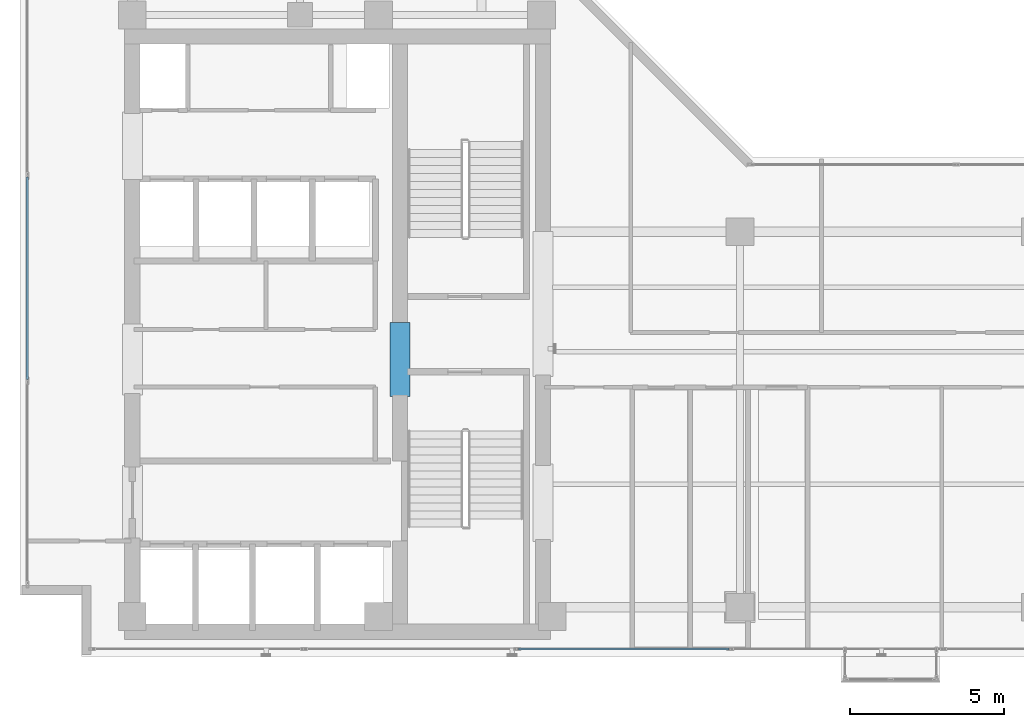
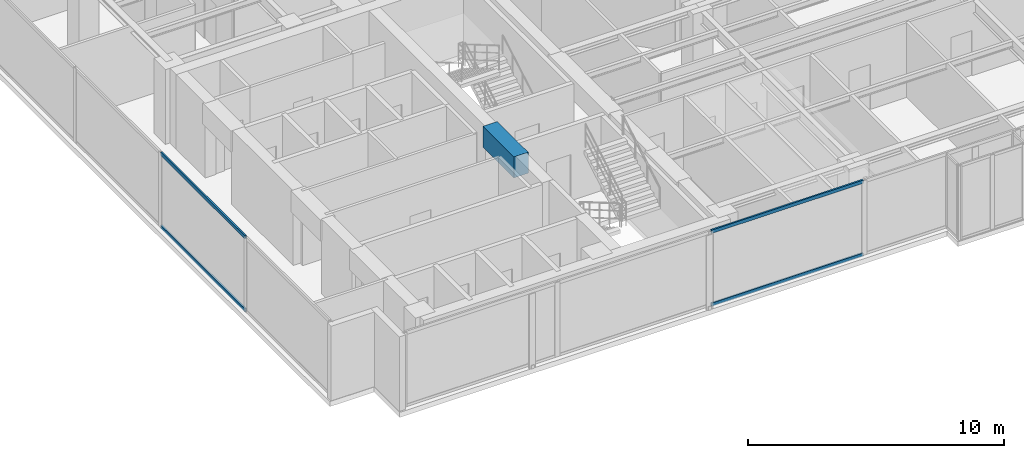
# One storey, part 3 of 22: 4 members, 1 beam, 2 elements without a shape of their own.
"""IFC4 building model written with IfcOpenShell, lengths in metres."""

from ifc_helpers import new_model, si_unit, direction, frame, origin, origin_with_axes, origin_2d, place, context, subcontext, project, spatial, rectangle, hollow_rectangle, extrude, source, transform, mapped, material, layer, layer_set, material_profile, profile_set, type_object, element, aggregate, save


model = new_model("IFC4")

# Units and contexts
model_context = context("Model", 3, precision=1e-05, world=origin(), true_north=direction((0.0, 1.0)))
body_context = subcontext(model_context, "Body", "Model", "MODEL_VIEW")
ifc_project = project(units=[si_unit("LENGTHUNIT", "METRE"), si_unit("AREAUNIT", "SQUARE_METRE"), si_unit("VOLUMEUNIT", "CUBIC_METRE"), si_unit("PLANEANGLEUNIT", "RADIAN"), si_unit("MASSUNIT", "GRAM", prefix="KILO")], contexts=[model_context])

# Site, building, storey
site_placement = place(None, origin())
site = spatial("IfcSite", under=ifc_project, at=site_placement, CompositionType="ELEMENT")
building_placement = place(site_placement, origin())
building = spatial("IfcBuilding", under=site, at=building_placement, Name="Kolvaren Waterfront Exchange", CompositionType="ELEMENT")
storey_placement = place(building_placement, frame((0.0, 0.0, 327.39990234375)))
storey = spatial("IfcBuildingStorey", under=building, at=storey_placement, Name="L84", CompositionType="ELEMENT", Elevation=327.39990234375)

# Beam
ifc_material_1 = material(Name="Concrete C60/75", Category="concrete")
ifc_material_profile_1 = material_profile(ifc_material_1, rectangle(XDim=0.64990234375, YDim=1.0, at=origin_2d()), Name="RC-CB-1000x650")
ifc_profile_set_1 = profile_set([ifc_material_profile_1], Name="Concrete C60/75")
beam_type = type_object("IfcBeamType", Name="STR-CB-1000", PredefinedType="SPANDREL", material=ifc_profile_set_1)
beam_placement = place(storey_placement, frame((16.14990234375, 12.0400390625, 3.06005859375), z_axis=(0.0, 1.0, 0.0), x_axis=(-1.0, 0.0, 0.0)))
element("IfcBeam", 1, at=beam_placement, inside=storey, type_object=beam_type, Name="L84 core coupling beam 6", PredefinedType="SPANDREL", context=body_context, shape_type="SweptSolid", body=[
    extrude(rectangle(XDim=0.64990234375, YDim=1.0, at=origin_2d()), origin(), (0.0, 0.0, 1.0), 2.419921875),
])

# Curtain wall, members
ifc_material_2 = material(Name="Anodised bronze aluminium 6063-T6", Category="aluminium")
ifc_layer_1 = layer(ifc_material_2, 0.219970703125, Name="Anodised bronze aluminium 6063-T6")
ifc_layer_set_1 = layer_set([ifc_layer_1], Name="Anodised bronze aluminium 6063-T6")
curtain_wall_type_1 = type_object("IfcCurtainWallType", Name="ARC-CW-SYS1", PredefinedType="USERDEFINED", material=ifc_layer_set_1)
curtain_wall_1_placement = place(storey_placement, origin())
curtain_wall_1 = element("IfcCurtainWall", 2, at=curtain_wall_1_placement, inside=storey, type_object=curtain_wall_type_1, Name="L84 stick curtain wall CW1 (CW-L84-S)", ObjectType="STICK CURTAIN WALL", PredefinedType="USERDEFINED")
ifc_material_3 = material(Name="Anodised aluminium 6063-T6", Category="aluminium")
ifc_material_profile_2 = material_profile(ifc_material_3, hollow_rectangle(XDim=0.074951171875, YDim=0.159912109375, WallThickness=0.00439453125, at=origin_2d()), Name="ALU-TRN-160x75x4.5")
ifc_profile_set_2 = profile_set([ifc_material_profile_2], Name="Anodised aluminium 6063-T6")
member_type = type_object("IfcMemberType", Name="ARC-CWT-160", PredefinedType="USERDEFINED", material=ifc_profile_set_2)
shared_shape_1 = source(origin_with_axes(), body_context, "Body", "SweptSolid", [
    extrude(hollow_rectangle(XDim=0.074951171875, YDim=0.159912109375, WallThickness=0.00439453125, at=origin_2d()), origin(), (0.0, 0.0, 1.0), 6.84912109375),
])
member_1_placement = place(storey_placement, frame((19.997802734375, 3.840087890625, 0.03759765625), z_axis=(1.0, 0.0, 0.0), x_axis=(0.0, 1.0, 0.0)))
member_1 = element("IfcMember", 3, at=member_1_placement, type_object=member_type, Name="CW1 transom 3.1", ObjectType="TRANSOM", PredefinedType="USERDEFINED", context=body_context, shape_type="MappedRepresentation", body=[
    mapped(shared_shape_1, transform((0.0, 0.0, 0.0), x_axis=(1.0, 0.0, 0.0), y_axis=(0.0, 1.0, 0.0), z_axis=(0.0, 0.0, 1.0), scale=1.0)),
])
member_2_placement = place(storey_placement, frame((19.997802734375, 3.840087890625, 3.522705078125), z_axis=(1.0, 0.0, 0.0), x_axis=(0.0, 1.0, 0.0)))
member_2 = element("IfcMember", 4, at=member_2_placement, type_object=member_type, Name="CW1 transom 3.2", ObjectType="TRANSOM", PredefinedType="USERDEFINED", context=body_context, shape_type="MappedRepresentation", body=[
    mapped(shared_shape_1, transform((0.0, 0.0, 0.0), x_axis=(1.0, 0.0, 0.0), y_axis=(0.0, 1.0, 0.0), z_axis=(0.0, 0.0, 1.0), scale=1.0)),
])
aggregate(curtain_wall_1, [member_1, member_2])

ifc_layer_2 = layer(ifc_material_3, 0.219970703125, Name="Anodised aluminium 6063-T6")
ifc_layer_set_2 = layer_set([ifc_layer_2], Name="Anodised aluminium 6063-T6")
curtain_wall_type_2 = type_object("IfcCurtainWallType", Name="ARC-CW-SYS2", PredefinedType="USERDEFINED", material=ifc_layer_set_2)
curtain_wall_2_placement = place(storey_placement, origin())
curtain_wall_2 = element("IfcCurtainWall", 5, at=curtain_wall_2_placement, inside=storey, type_object=curtain_wall_type_2, Name="L84 stick curtain wall CW2 (CW-L84-W)", ObjectType="STICK CURTAIN WALL", PredefinedType="USERDEFINED")
shared_shape_2 = source(origin_with_axes(), body_context, "Body", "SweptSolid", [
    extrude(hollow_rectangle(XDim=0.074951171875, YDim=0.159912109375, WallThickness=0.00439453125, at=origin_2d()), origin(), (0.0, 0.0, 1.0), 6.582275390625),
])
member_3_placement = place(storey_placement, frame((4.0400390625, 12.602294921875, 0.03759765625), z_axis=(0.0, 1.0, 0.0), x_axis=(-1.0, 0.0, 0.0)))
member_3 = element("IfcMember", 6, at=member_3_placement, type_object=member_type, Name="CW2 transom 2.1", ObjectType="TRANSOM", PredefinedType="USERDEFINED", context=body_context, shape_type="MappedRepresentation", body=[
    mapped(shared_shape_2, transform((0.0, 0.0, 0.0), x_axis=(1.0, 0.0, 0.0), y_axis=(0.0, 1.0, 0.0), z_axis=(0.0, 0.0, 1.0), scale=1.0)),
])
member_4_placement = place(storey_placement, frame((4.0400390625, 12.602294921875, 3.522705078125), z_axis=(0.0, 1.0, 0.0), x_axis=(-1.0, 0.0, 0.0)))
member_4 = element("IfcMember", 7, at=member_4_placement, type_object=member_type, Name="CW2 transom 2.2", ObjectType="TRANSOM", PredefinedType="USERDEFINED", context=body_context, shape_type="MappedRepresentation", body=[
    mapped(shared_shape_2, transform((0.0, 0.0, 0.0), x_axis=(1.0, 0.0, 0.0), y_axis=(0.0, 1.0, 0.0), z_axis=(0.0, 0.0, 1.0), scale=1.0)),
])
aggregate(curtain_wall_2, [member_3, member_4])

save(model, "model.ifc")
